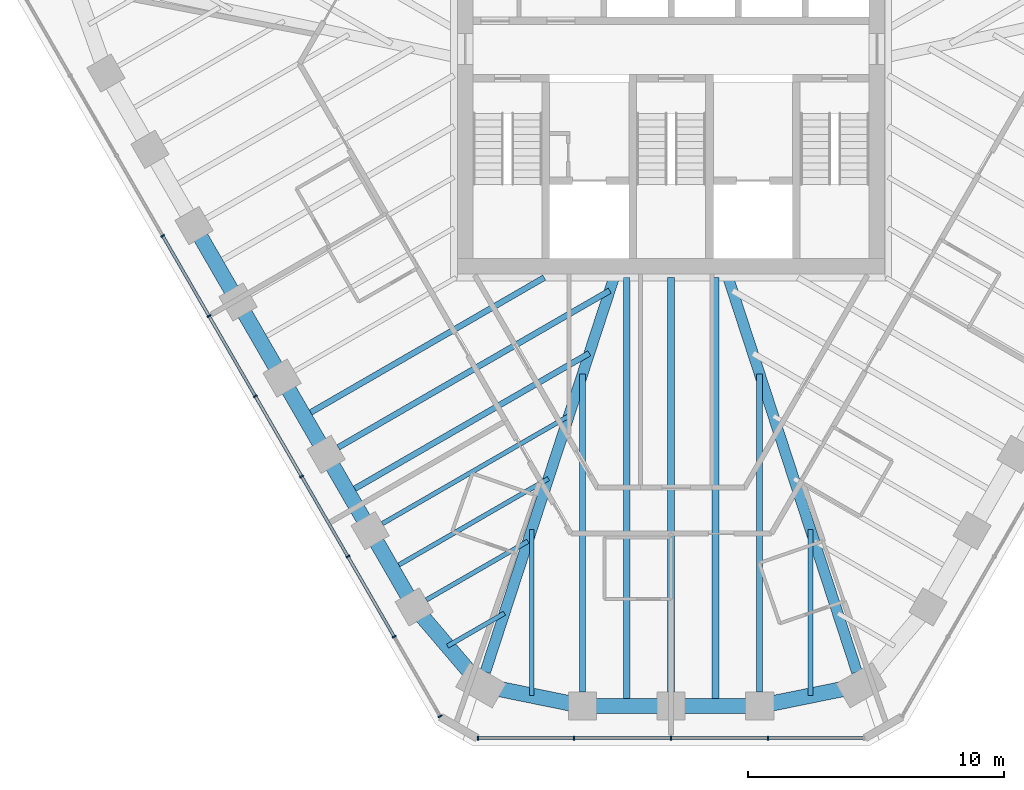
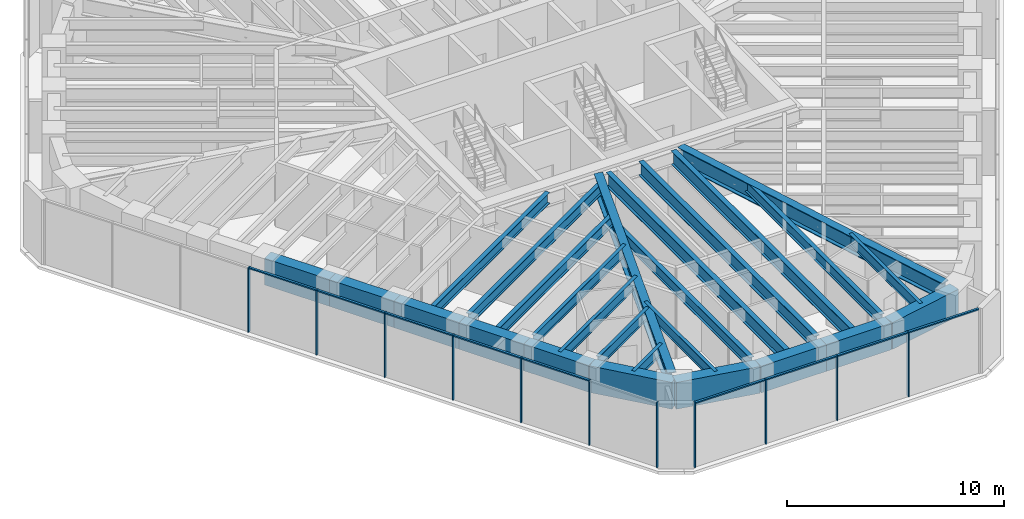
# One storey, part 2 of 14: 26 beams, 20 members, 2 elements without a shape of their own.
"""IFC4 building model written with IfcOpenShell, lengths in metres."""

from ifc_helpers import new_model, si_unit, direction, frame, origin, origin_2d, place, context, subcontext, project, spatial, rectangle, i_section, extrude, material, material_profile, profile_set, type_object, element, aggregate, save


model = new_model("IFC4")

# Units and contexts
model_context = context("Model", 3, precision=1e-05, world=origin(), true_north=direction((0.0, 1.0)))
body_context = subcontext(model_context, "Body", "Model", "MODEL_VIEW")
ifc_project = project(units=[si_unit("LENGTHUNIT", "METRE"), si_unit("AREAUNIT", "SQUARE_METRE"), si_unit("VOLUMEUNIT", "CUBIC_METRE"), si_unit("PLANEANGLEUNIT", "RADIAN"), si_unit("MASSUNIT", "GRAM", prefix="KILO")], contexts=[model_context])

# Site, building, storey
site_placement = place(None, origin())
site = spatial("IfcSite", under=ifc_project, at=site_placement, CompositionType="ELEMENT")
building_placement = place(site_placement, origin())
building = spatial("IfcBuilding", under=site, at=building_placement, Name="Sandreach Pilgrim Tower", CompositionType="ELEMENT")
storey_placement = place(building_placement, frame((0.0, 0.0, 276.0)))
storey = spatial("IfcBuildingStorey", under=building, at=storey_placement, Name="L69", CompositionType="ELEMENT", Elevation=276.0)

# Curtain wall, members
ifc_material_1 = material(Name="Aluminium framed curtain wall", Category="aluminium")
curtain_wall_type = type_object("IfcCurtainWallType", Name="Suite tower curtain wall", PredefinedType="NOTDEFINED", material=ifc_material_1)
curtain_wall_1_placement = place(storey_placement, origin())
curtain_wall_1 = element("IfcCurtainWall", 1, at=curtain_wall_1_placement, inside=storey, type_object=curtain_wall_type, Name="CW-4 L69 S", PredefinedType="NOTDEFINED")
ifc_material_2 = material(Name="Aluminium extrusion", Category="aluminium")
ifc_material_profile_1 = material_profile(ifc_material_2, rectangle(XDim=0.06005859375, YDim=0.159912109375, at=origin_2d()), Name="CW-4M 60X160")
ifc_profile_set_1 = profile_set([ifc_material_profile_1], Name="Aluminium extrusion")
member_type_1 = type_object("IfcMemberType", Name="CW-4 mullion", PredefinedType="MULLION", material=ifc_profile_set_1)
member_1_placement = place(storey_placement, frame((3.791748046875, -24.858154296875, 0.0), z_axis=(0.0, 0.0, 1.0), x_axis=(-1.0, 0.0, 0.0)))
member_1 = element("IfcMember", 2, at=member_1_placement, type_object=member_type_1, Name="CW-4 mullion 2", PredefinedType="MULLION", context=body_context, shape_type="SweptSolid", body=[
    extrude(rectangle(XDim=0.06005859375, YDim=0.159912109375, at=origin_2d()), origin(), (0.0, 0.0, 1.0), 3.639892578125),
])
member_2_placement = place(storey_placement, frame((0.0, -24.858154296875, 0.0), z_axis=(0.0, 0.0, 1.0), x_axis=(-1.0, 0.0, 0.0)))
member_2 = element("IfcMember", 3, at=member_2_placement, type_object=member_type_1, Name="CW-4 mullion 3", PredefinedType="MULLION", context=body_context, shape_type="SweptSolid", body=[
    extrude(rectangle(XDim=0.06005859375, YDim=0.159912109375, at=origin_2d()), origin(), (0.0, 0.0, 1.0), 3.639892578125),
])
member_3_placement = place(storey_placement, frame((-3.791748046875, -24.858154296875, 0.0), z_axis=(0.0, 0.0, 1.0), x_axis=(-1.0, 0.0, 0.0)))
member_3 = element("IfcMember", 4, at=member_3_placement, type_object=member_type_1, Name="CW-4 mullion 4", PredefinedType="MULLION", context=body_context, shape_type="SweptSolid", body=[
    extrude(rectangle(XDim=0.06005859375, YDim=0.159912109375, at=origin_2d()), origin(), (0.0, 0.0, 1.0), 3.639892578125),
])
member_4_placement = place(storey_placement, frame((-7.553466796875, -24.858154296875, 0.0), z_axis=(0.0, 0.0, 1.0), x_axis=(-1.0, 0.0, 0.0)))
member_4 = element("IfcMember", 5, at=member_4_placement, type_object=member_type_1, Name="CW-4 mullion 5", PredefinedType="MULLION", context=body_context, shape_type="SweptSolid", body=[
    extrude(rectangle(XDim=0.06005859375, YDim=0.159912109375, at=origin_2d()), origin(), (0.0, 0.0, 1.0), 3.639892578125),
])

curtain_wall_2_placement = place(storey_placement, origin())
curtain_wall_2 = element("IfcCurtainWall", 6, at=curtain_wall_2_placement, inside=storey, type_object=curtain_wall_type, Name="CW-4 L69 SW", PredefinedType="NOTDEFINED")
member_5_placement = place(storey_placement, frame((-9.035888671875, -24.001953125, 0.0), z_axis=(0.0, 0.0, 1.0), x_axis=(-0.5, 0.866025403784, 0.0)))
member_5 = element("IfcMember", 7, at=member_5_placement, type_object=member_type_1, Name="CW-4 mullion 1", PredefinedType="MULLION", context=body_context, shape_type="SweptSolid", body=[
    extrude(rectangle(XDim=0.06005859375, YDim=0.159912109375, at=origin_2d()), origin(), (0.0, 0.0, 1.0), 3.639892578125),
])
member_6_placement = place(storey_placement, frame((-10.83203125, -20.891357421875, 0.0), z_axis=(0.0, 0.0, 1.0), x_axis=(-0.5, 0.866025403784, 0.0)))
member_6 = element("IfcMember", 8, at=member_6_placement, type_object=member_type_1, Name="CW-4 mullion 2", PredefinedType="MULLION", context=body_context, shape_type="SweptSolid", body=[
    extrude(rectangle(XDim=0.06005859375, YDim=0.159912109375, at=origin_2d()), origin(), (0.0, 0.0, 1.0), 3.639892578125),
])
member_7_placement = place(storey_placement, frame((-12.642822265625, -17.7548828125, 0.0), z_axis=(0.0, 0.0, 1.0), x_axis=(-0.5, 0.866025403784, 0.0)))
member_7 = element("IfcMember", 9, at=member_7_placement, type_object=member_type_1, Name="CW-4 mullion 3", PredefinedType="MULLION", context=body_context, shape_type="SweptSolid", body=[
    extrude(rectangle(XDim=0.06005859375, YDim=0.159912109375, at=origin_2d()), origin(), (0.0, 0.0, 1.0), 3.639892578125),
])
member_8_placement = place(storey_placement, frame((-14.453857421875, -14.6181640625, 0.0), z_axis=(0.0, 0.0, 1.0), x_axis=(-0.5, 0.866025403784, 0.0)))
member_8 = element("IfcMember", 10, at=member_8_placement, type_object=member_type_1, Name="CW-4 mullion 4", PredefinedType="MULLION", context=body_context, shape_type="SweptSolid", body=[
    extrude(rectangle(XDim=0.06005859375, YDim=0.159912109375, at=origin_2d()), origin(), (0.0, 0.0, 1.0), 3.639892578125),
])
member_9_placement = place(storey_placement, frame((-16.2646484375, -11.4814453125, 0.0), z_axis=(0.0, 0.0, 1.0), x_axis=(-0.5, 0.866025403784, 0.0)))
member_9 = element("IfcMember", 11, at=member_9_placement, type_object=member_type_1, Name="CW-4 mullion 5", PredefinedType="MULLION", context=body_context, shape_type="SweptSolid", body=[
    extrude(rectangle(XDim=0.06005859375, YDim=0.159912109375, at=origin_2d()), origin(), (0.0, 0.0, 1.0), 3.639892578125),
])
member_10_placement = place(storey_placement, frame((-18.07568359375, -8.344970703125, 0.0), z_axis=(0.0, 0.0, 1.0), x_axis=(-0.5, 0.866025403784, 0.0)))
member_10 = element("IfcMember", 12, at=member_10_placement, type_object=member_type_1, Name="CW-4 mullion 6", PredefinedType="MULLION", context=body_context, shape_type="SweptSolid", body=[
    extrude(rectangle(XDim=0.06005859375, YDim=0.159912109375, at=origin_2d()), origin(), (0.0, 0.0, 1.0), 3.639892578125),
])
member_11_placement = place(storey_placement, frame((-19.886474609375, -5.208251953125, 0.0), z_axis=(0.0, 0.0, 1.0), x_axis=(-0.5, 0.866025403784, 0.0)))
member_11 = element("IfcMember", 13, at=member_11_placement, type_object=member_type_1, Name="CW-4 mullion 7", PredefinedType="MULLION", context=body_context, shape_type="SweptSolid", body=[
    extrude(rectangle(XDim=0.06005859375, YDim=0.159912109375, at=origin_2d()), origin(), (0.0, 0.0, 1.0), 3.639892578125),
])

# Member
ifc_material_3 = material(Name="Aluminium extrusion", Category="aluminium")
ifc_material_profile_2 = material_profile(ifc_material_3, rectangle(XDim=0.1201171875, YDim=0.070068359375, at=origin_2d()), Name="CW-4T 120X70")
ifc_profile_set_2 = profile_set([ifc_material_profile_2], Name="Aluminium extrusion")
member_type_2 = type_object("IfcMemberType", Name="CW-4 transom", PredefinedType="USERDEFINED", material=ifc_profile_set_2)
member_12_placement = place(storey_placement, frame((7.5234375, -24.858154296875, 3.60498046875), z_axis=(-1.0, 0.0, 0.0), x_axis=(0.0, -1.0, 0.0)))
member_12 = element("IfcMember", 14, at=member_12_placement, type_object=member_type_2, Name="CW-4 head transom 1", ObjectType="TRANSOM", PredefinedType="USERDEFINED", context=body_context, shape_type="SweptSolid", body=[
    extrude(rectangle(XDim=0.1201171875, YDim=0.070068359375, at=origin_2d()), origin(), (0.0, 0.0, 1.0), 3.70166015625),
])

member_13_placement = place(storey_placement, frame((3.76171875, -24.858154296875, 3.60498046875), z_axis=(-1.0, 0.0, 0.0), x_axis=(0.0, -1.0, 0.0)))
member_13 = element("IfcMember", 15, at=member_13_placement, type_object=member_type_2, Name="CW-4 head transom 2", ObjectType="TRANSOM", PredefinedType="USERDEFINED", context=body_context, shape_type="SweptSolid", body=[
    extrude(rectangle(XDim=0.1201171875, YDim=0.070068359375, at=origin_2d()), origin(), (0.0, 0.0, 1.0), 3.731689453125),
])

member_14_placement = place(storey_placement, frame((-0.030029296875, -24.858154296875, 3.60498046875), z_axis=(-1.0, 0.0, 0.0), x_axis=(0.0, -1.0, 0.0)))
member_14 = element("IfcMember", 16, at=member_14_placement, type_object=member_type_2, Name="CW-4 head transom 3", ObjectType="TRANSOM", PredefinedType="USERDEFINED", context=body_context, shape_type="SweptSolid", body=[
    extrude(rectangle(XDim=0.1201171875, YDim=0.070068359375, at=origin_2d()), origin(), (0.0, 0.0, 1.0), 3.731689453125),
])

member_15_placement = place(storey_placement, frame((-3.82177734375, -24.858154296875, 3.60498046875), z_axis=(-1.0, 0.0, 0.0), x_axis=(0.0, -1.0, 0.0)))
member_15 = element("IfcMember", 17, at=member_15_placement, type_object=member_type_2, Name="CW-4 head transom 4", ObjectType="TRANSOM", PredefinedType="USERDEFINED", context=body_context, shape_type="SweptSolid", body=[
    extrude(rectangle(XDim=0.1201171875, YDim=0.070068359375, at=origin_2d()), origin(), (0.0, 0.0, 1.0), 3.70166015625),
])

aggregate(curtain_wall_1, [member_1, member_2, member_3, member_4, member_12, member_13, member_14, member_15])

member_16_placement = place(storey_placement, frame((-10.846923828125, -20.865478515625, 3.60498046875), z_axis=(-0.500009219579, 0.866020080793, 0.0), x_axis=(-0.866020080793, -0.500009219579, 0.0)))
member_16 = element("IfcMember", 18, at=member_16_placement, type_object=member_type_2, Name="CW-4 head transom 2", ObjectType="TRANSOM", PredefinedType="USERDEFINED", context=body_context, shape_type="SweptSolid", body=[
    extrude(rectangle(XDim=0.1201171875, YDim=0.070068359375, at=origin_2d()), origin(), (0.0, 0.0, 1.0), 3.56201171875),
])

member_17_placement = place(storey_placement, frame((-12.657958984375, -17.728759765625, 3.60498046875), z_axis=(-0.499957811549, 0.866049759928, 0.0), x_axis=(-0.866049759928, -0.499957811549, 0.0)))
member_17 = element("IfcMember", 19, at=member_17_placement, type_object=member_type_2, Name="CW-4 head transom 3", ObjectType="TRANSOM", PredefinedType="USERDEFINED", context=body_context, shape_type="SweptSolid", body=[
    extrude(rectangle(XDim=0.1201171875, YDim=0.070068359375, at=origin_2d()), origin(), (0.0, 0.0, 1.0), 3.561767578125),
])

member_18_placement = place(storey_placement, frame((-14.46875, -14.59228515625, 3.60498046875), z_axis=(-0.500009219579, 0.866020080793, 0.0), x_axis=(-0.866020080793, -0.500009219579, 0.0)))
member_18 = element("IfcMember", 20, at=member_18_placement, type_object=member_type_2, Name="CW-4 head transom 4", ObjectType="TRANSOM", PredefinedType="USERDEFINED", context=body_context, shape_type="SweptSolid", body=[
    extrude(rectangle(XDim=0.1201171875, YDim=0.070068359375, at=origin_2d()), origin(), (0.0, 0.0, 1.0), 3.56201171875),
])

member_19_placement = place(storey_placement, frame((-16.27978515625, -11.45556640625, 3.60498046875), z_axis=(-0.499957811549, 0.866049759928, 0.0), x_axis=(-0.866049759928, -0.499957811549, 0.0)))
member_19 = element("IfcMember", 21, at=member_19_placement, type_object=member_type_2, Name="CW-4 head transom 5", ObjectType="TRANSOM", PredefinedType="USERDEFINED", context=body_context, shape_type="SweptSolid", body=[
    extrude(rectangle(XDim=0.1201171875, YDim=0.070068359375, at=origin_2d()), origin(), (0.0, 0.0, 1.0), 3.561767578125),
])

member_20_placement = place(storey_placement, frame((-18.090576171875, -8.31884765625, 3.60498046875), z_axis=(-0.500038900691, 0.866002943295, 0.0), x_axis=(-0.866002943295, -0.500038900691, 0.0)))
member_20 = element("IfcMember", 22, at=member_20_placement, type_object=member_type_2, Name="CW-4 head transom 6", ObjectType="TRANSOM", PredefinedType="USERDEFINED", context=body_context, shape_type="SweptSolid", body=[
    extrude(rectangle(XDim=0.1201171875, YDim=0.070068359375, at=origin_2d()), origin(), (0.0, 0.0, 1.0), 3.561767578125),
])

aggregate(curtain_wall_2, [member_5, member_6, member_7, member_8, member_9, member_10, member_11, member_16, member_17, member_18, member_19, member_20])

# Beams
ifc_material_4 = material(Name="Steel ASTM A992 Grade 50", Category="steel")
ifc_material_profile_3 = material_profile(ifc_material_4, i_section(OverallWidth=0.421630859375, OverallDepth=0.937255859375, WebThickness=0.0224609375, FlangeThickness=0.039794921875, at=origin_2d()), Name="W36X282")
ifc_profile_set_3 = profile_set([ifc_material_profile_3], Name="Steel ASTM A992 Grade 50")
beam_type_1 = type_object("IfcBeamType", Name="Corner girder W36X282", PredefinedType="BEAM", material=ifc_profile_set_3)
for number, where, z_axis, x_axis, name in (
    (23, (7.268310546875, -22.2666015625, 3.17138671875), (-0.310308570047, 0.950635887896, 0.0), (-0.950635887896, -0.310308570047, 0.0), "BM L69 CG22"),
    (24, (-7.268310546875, -22.2666015625, 3.17138671875), (0.310308570047, 0.950635887896, 0.0), (-0.950635887896, 0.310308570047, 0.0), "BM L69 CG26"),
):
    element("IfcBeam", number, at=place(storey_placement, frame(where, z_axis=z_axis, x_axis=x_axis)), inside=storey, type_object=beam_type_1, Name=name, PredefinedType="BEAM", context=body_context, shape_type="SweptSolid", body=[
        extrude(i_section(OverallWidth=0.421630859375, OverallDepth=0.937255859375, WebThickness=0.0224609375, FlangeThickness=0.039794921875, at=origin_2d()), origin(), (0.0, 0.0, 1.0), 16.375),
    ])
ifc_material_5 = material(Name="Steel ASTM A992 Grade 50", Category="steel")
ifc_material_profile_4 = material_profile(ifc_material_5, i_section(OverallWidth=0.1787109375, OverallDepth=0.60205078125, WebThickness=0.010986328125, FlangeThickness=0.014892578125, at=origin_2d()), Name="W24X62")
ifc_profile_set_4 = profile_set([ifc_material_profile_4], Name="Steel ASTM A992 Grade 50")
beam_type_2 = type_object("IfcBeamType", Name="Floor beam W24X62", PredefinedType="BEAM", material=ifc_profile_set_4)
beam_1_placement = place(storey_placement, frame((-9.573974609375, -19.450439453125, 3.339111328125), z_axis=(0.866024320471, 0.50000187635, 0.0), x_axis=(-0.50000187635, 0.866024320471, 0.0)))
element("IfcBeam", 25, at=beam_1_placement, inside=storey, type_object=beam_type_2, Name="BM L69 F27", PredefinedType="BEAM", context=body_context, shape_type="SweptSolid", body=[
    extrude(i_section(OverallWidth=0.1787109375, OverallDepth=0.60205078125, WebThickness=0.010986328125, FlangeThickness=0.014892578125, at=origin_2d()), origin(), (0.0, 0.0, 1.0), 4.58837890625),
])
beam_2_placement = place(storey_placement, frame((-11.29638671875, -16.466796875, 3.339111328125), z_axis=(0.866026819143, 0.499997548519, 0.0), x_axis=(-0.499997548519, 0.866026819143, 0.0)))
element("IfcBeam", 26, at=beam_2_placement, inside=storey, type_object=beam_type_2, Name="BM L69 F28", PredefinedType="BEAM", context=body_context, shape_type="SweptSolid", body=[
    extrude(i_section(OverallWidth=0.1787109375, OverallDepth=0.60205078125, WebThickness=0.010986328125, FlangeThickness=0.014892578125, at=origin_2d()), origin(), (0.0, 0.0, 1.0), 8.4248046875),
])
for number, where, z_axis, x_axis, name in (
    (27, (5.452392578125, -23.19384765625, 3.339111328125), (0.0, 1.0, 0.0), (-1.0, 0.0, 0.0), "BM L69 FM22"),
    (28, (-5.452392578125, -23.19384765625, 3.339111328125), (0.0, 1.0, 0.0), (-1.0, 0.0, 0.0), "BM L69 FM25"),
):
    element("IfcBeam", number, at=place(storey_placement, frame(where, z_axis=z_axis, x_axis=x_axis)), inside=storey, type_object=beam_type_2, Name=name, PredefinedType="BEAM", context=body_context, shape_type="SweptSolid", body=[
        extrude(i_section(OverallWidth=0.1787109375, OverallDepth=0.60205078125, WebThickness=0.010986328125, FlangeThickness=0.014892578125, at=origin_2d()), origin(), (0.0, 0.0, 1.0), 6.49072265625),
    ])
beam_3_placement = place(storey_placement, frame((-8.74462890625, -21.25732421875, 3.339111328125), z_axis=(0.866041575714, 0.49997198835, 0.0), x_axis=(-0.49997198835, 0.866041575714, 0.0)))
element("IfcBeam", 29, at=beam_3_placement, inside=storey, type_object=beam_type_2, Name="BM L69 FM26", PredefinedType="BEAM", context=body_context, shape_type="SweptSolid", body=[
    extrude(i_section(OverallWidth=0.1787109375, OverallDepth=0.60205078125, WebThickness=0.010986328125, FlangeThickness=0.014892578125, at=origin_2d()), origin(), (0.0, 0.0, 1.0), 2.569091796875),
])
beam_4_placement = place(storey_placement, frame((-10.911376953125, -18.233642578125, 3.339111328125), z_axis=(0.866020229007, 0.50000896287, 0.0), x_axis=(-0.50000896287, 0.866020229007, 0.0)))
element("IfcBeam", 30, at=beam_4_placement, inside=storey, type_object=beam_type_2, Name="BM L69 FM27", PredefinedType="BEAM", context=body_context, shape_type="SweptSolid", body=[
    extrude(i_section(OverallWidth=0.1787109375, OverallDepth=0.60205078125, WebThickness=0.010986328125, FlangeThickness=0.014892578125, at=origin_2d()), origin(), (0.0, 0.0, 1.0), 7.056396484375),
])
ifc_material_6 = material(Name="Steel ASTM A992 Grade 50", Category="steel")
ifc_material_profile_5 = material_profile(ifc_material_6, i_section(OverallWidth=0.23046875, OverallDepth=0.6171875, WebThickness=0.01318359375, FlangeThickness=0.022216796875, at=origin_2d()), Name="W24X94")
ifc_profile_set_5 = profile_set([ifc_material_profile_5], Name="Steel ASTM A992 Grade 50")
beam_type_3 = type_object("IfcBeamType", Name="Floor beam W24X94", PredefinedType="BEAM", material=ifc_profile_set_5)
for number, where, z_axis, x_axis, name in (
    (31, (3.465576171875, -23.048095703125, 3.331298828125), (0.0, 1.0, 0.0), (-1.0, 0.0, 0.0), "BM L69 F23"),
    (32, (-3.465576171875, -23.048095703125, 3.331298828125), (0.0, 1.0, 0.0), (-1.0, 0.0, 0.0), "BM L69 F25"),
):
    element("IfcBeam", number, at=place(storey_placement, frame(where, z_axis=z_axis, x_axis=x_axis)), inside=storey, type_object=beam_type_3, Name=name, PredefinedType="BEAM", context=body_context, shape_type="SweptSolid", body=[
        extrude(i_section(OverallWidth=0.23046875, OverallDepth=0.6171875, WebThickness=0.01318359375, FlangeThickness=0.022216796875, at=origin_2d()), origin(), (0.0, 0.0, 1.0), 12.431396484375),
    ])
beam_5_placement = place(storey_placement, frame((-13.018798828125, -13.4833984375, 3.331298828125), z_axis=(0.866019132277, 0.500010862412, 0.0), x_axis=(-0.500010862412, 0.866019132277, 0.0)))
element("IfcBeam", 33, at=beam_5_placement, inside=storey, type_object=beam_type_3, Name="BM L69 F29", PredefinedType="BEAM", context=body_context, shape_type="SweptSolid", body=[
    extrude(i_section(OverallWidth=0.23046875, OverallDepth=0.6171875, WebThickness=0.01318359375, FlangeThickness=0.022216796875, at=origin_2d()), origin(), (0.0, 0.0, 1.0), 12.261474609375),
])
beam_6_placement = place(storey_placement, frame((-12.634033203125, -15.250244140625, 3.331298828125), z_axis=(0.866019500887, 0.500010223979, 0.0), x_axis=(-0.500010223979, 0.866019500887, 0.0)))
element("IfcBeam", 34, at=beam_6_placement, inside=storey, type_object=beam_type_3, Name="BM L69 FM28", PredefinedType="BEAM", context=body_context, shape_type="SweptSolid", body=[
    extrude(i_section(OverallWidth=0.23046875, OverallDepth=0.6171875, WebThickness=0.01318359375, FlangeThickness=0.022216796875, at=origin_2d()), origin(), (0.0, 0.0, 1.0), 10.893310546875),
])
beam_7_placement = place(storey_placement, frame((-14.3564453125, -12.2666015625, 3.331298828125), z_axis=(0.866026660645, 0.499997823047, 0.0), x_axis=(-0.499997823047, 0.866026660645, 0.0)))
element("IfcBeam", 35, at=beam_7_placement, inside=storey, type_object=beam_type_3, Name="BM L69 FM29", PredefinedType="BEAM", context=body_context, shape_type="SweptSolid", body=[
    extrude(i_section(OverallWidth=0.23046875, OverallDepth=0.6171875, WebThickness=0.01318359375, FlangeThickness=0.022216796875, at=origin_2d()), origin(), (0.0, 0.0, 1.0), 10.8466796875),
])
ifc_material_7 = material(Name="Steel ASTM A992 Grade 50", Category="steel")
ifc_material_profile_6 = material_profile(ifc_material_7, i_section(OverallWidth=0.2666015625, OverallDepth=0.77978515625, WebThickness=0.0166015625, FlangeThickness=0.030029296875, at=origin_2d()), Name="W30X148")
ifc_profile_set_6 = profile_set([ifc_material_profile_6], Name="Steel ASTM A992 Grade 50")
beam_type_4 = type_object("IfcBeamType", Name="Floor beam W30X148", PredefinedType="BEAM", material=ifc_profile_set_6)
beam_8_placement = place(storey_placement, frame((0.0, -23.048095703125, 3.25), z_axis=(0.0, 1.0, 0.0), x_axis=(-1.0, 0.0, 0.0)))
element("IfcBeam", 36, at=beam_8_placement, inside=storey, type_object=beam_type_4, Name="BM L69 F24", PredefinedType="BEAM", context=body_context, shape_type="SweptSolid", body=[
    extrude(i_section(OverallWidth=0.2666015625, OverallDepth=0.77978515625, WebThickness=0.0166015625, FlangeThickness=0.030029296875, at=origin_2d()), origin(), (0.0, 0.0, 1.0), 16.204833984375),
])
for number, where, z_axis, x_axis, name in (
    (37, (1.732666015625, -23.59814453125, 3.25), (0.0, 1.0, 0.0), (-1.0, 0.0, 0.0), "BM L69 FM23"),
    (38, (-1.732666015625, -23.59814453125, 3.25), (0.0, 1.0, 0.0), (-1.0, 0.0, 0.0), "BM L69 FM24"),
):
    element("IfcBeam", number, at=place(storey_placement, frame(where, z_axis=z_axis, x_axis=x_axis)), inside=storey, type_object=beam_type_4, Name=name, PredefinedType="BEAM", context=body_context, shape_type="SweptSolid", body=[
        extrude(i_section(OverallWidth=0.2666015625, OverallDepth=0.77978515625, WebThickness=0.0166015625, FlangeThickness=0.030029296875, at=origin_2d()), origin(), (0.0, 0.0, 1.0), 16.7548828125),
    ])
ifc_material_8 = material(Name="Concrete 10000 psi", Category="concrete")
ifc_material_profile_7 = material_profile(ifc_material_8, rectangle(XDim=0.60009765625, YDim=1.5, at=origin_2d()), Name="RC600X1500")
ifc_profile_set_7 = profile_set([ifc_material_profile_7], Name="Concrete 10000 psi")
beam_type_5 = type_object("IfcBeamType", Name="Spandrel beam RC600X1500", PredefinedType="SPANDREL", material=ifc_profile_set_7)
beam_9_placement = place(storey_placement, frame((7.439208984375, -22.78955078125, 2.889892578125), z_axis=(-0.979917524616, -0.199403222016, 0.0), x_axis=(0.199403222016, -0.979917524616, 0.0)))
element("IfcBeam", 39, at=beam_9_placement, inside=storey, type_object=beam_type_5, Name="BM L69 SP22", PredefinedType="SPANDREL", context=body_context, shape_type="SweptSolid", body=[
    extrude(rectangle(XDim=0.60009765625, YDim=1.5, at=origin_2d()), origin(), (0.0, 0.0, 1.0), 4.05517578125),
])
for number, where, z_axis, x_axis, name in (
    (40, (3.465576171875, -23.59814453125, 2.889892578125), (-1.0, 0.0, 0.0), (0.0, -1.0, 0.0), "BM L69 SP23"),
    (41, (0.0, -23.59814453125, 2.889892578125), (-1.0, 0.0, 0.0), (0.0, -1.0, 0.0), "BM L69 SP24"),
):
    element("IfcBeam", number, at=place(storey_placement, frame(where, z_axis=z_axis, x_axis=x_axis)), inside=storey, type_object=beam_type_5, Name=name, PredefinedType="SPANDREL", context=body_context, shape_type="SweptSolid", body=[
        extrude(rectangle(XDim=0.60009765625, YDim=1.5, at=origin_2d()), origin(), (0.0, 0.0, 1.0), 3.465576171875),
    ])
beam_10_placement = place(storey_placement, frame((-3.465576171875, -23.59814453125, 2.889892578125), z_axis=(-0.979917524616, 0.199403222016, 0.0), x_axis=(-0.199403222016, -0.979917524616, 0.0)))
element("IfcBeam", 42, at=beam_10_placement, inside=storey, type_object=beam_type_5, Name="BM L69 SP25", PredefinedType="SPANDREL", context=body_context, shape_type="SweptSolid", body=[
    extrude(rectangle(XDim=0.60009765625, YDim=1.5, at=origin_2d()), origin(), (0.0, 0.0, 1.0), 4.05517578125),
])
beam_11_placement = place(storey_placement, frame((-7.439208984375, -22.78955078125, 2.889892578125), z_axis=(-0.648586192707, 0.761141215958, 0.0), x_axis=(-0.761141215958, -0.648586192707, 0.0)))
element("IfcBeam", 43, at=beam_11_placement, inside=storey, type_object=beam_type_5, Name="BM L69 SP26", PredefinedType="SPANDREL", context=body_context, shape_type="SweptSolid", body=[
    extrude(rectangle(XDim=0.60009765625, YDim=1.5, at=origin_2d()), origin(), (0.0, 0.0, 1.0), 4.02587890625),
])
for number, where, z_axis, x_axis, name in (
    (44, (-10.05029296875, -19.725341796875, 2.889892578125), (-0.499988291006, 0.866032163869, 0.0), (-0.866032163869, -0.499988291006, 0.0), "BM L69 SP27"),
    (45, (-11.772705078125, -16.741943359375, 2.889892578125), (-0.499988291006, 0.866032163869, 0.0), (-0.866032163869, -0.499988291006, 0.0), "BM L69 SP28"),
):
    element("IfcBeam", number, at=place(storey_placement, frame(where, z_axis=z_axis, x_axis=x_axis)), inside=storey, type_object=beam_type_5, Name=name, PredefinedType="SPANDREL", context=body_context, shape_type="SweptSolid", body=[
        extrude(rectangle(XDim=0.60009765625, YDim=1.5, at=origin_2d()), origin(), (0.0, 0.0, 1.0), 3.44482421875),
    ])
beam_12_placement = place(storey_placement, frame((-13.4951171875, -13.758544921875, 2.889892578125), z_axis=(-0.500010754882, 0.866019194361, 0.0), x_axis=(-0.866019194361, -0.500010754882, 0.0)))
element("IfcBeam", 46, at=beam_12_placement, inside=storey, type_object=beam_type_5, Name="BM L69 SP29", PredefinedType="SPANDREL", context=body_context, shape_type="SweptSolid", body=[
    extrude(rectangle(XDim=0.60009765625, YDim=1.5, at=origin_2d()), origin(), (0.0, 0.0, 1.0), 3.4453125),
])
beam_13_placement = place(storey_placement, frame((-15.2177734375, -10.77490234375, 2.889892578125), z_axis=(-0.499988291006, 0.866032163869, 0.0), x_axis=(-0.866032163869, -0.499988291006, 0.0)))
element("IfcBeam", 47, at=beam_13_placement, inside=storey, type_object=beam_type_5, Name="BM L69 SP30", PredefinedType="SPANDREL", context=body_context, shape_type="SweptSolid", body=[
    extrude(rectangle(XDim=0.60009765625, YDim=1.5, at=origin_2d()), origin(), (0.0, 0.0, 1.0), 3.44482421875),
])
beam_14_placement = place(storey_placement, frame((-16.940185546875, -7.79150390625, 2.889892578125), z_axis=(-0.500041441558, 0.866001476168, 0.0), x_axis=(-0.866001476168, -0.500041441558, 0.0)))
element("IfcBeam", 48, at=beam_14_placement, inside=storey, type_object=beam_type_5, Name="BM L69 SP31", PredefinedType="SPANDREL", context=body_context, shape_type="SweptSolid", body=[
    extrude(rectangle(XDim=0.60009765625, YDim=1.5, at=origin_2d()), origin(), (0.0, 0.0, 1.0), 3.445068359375),
])

save(model, "model.ifc")
